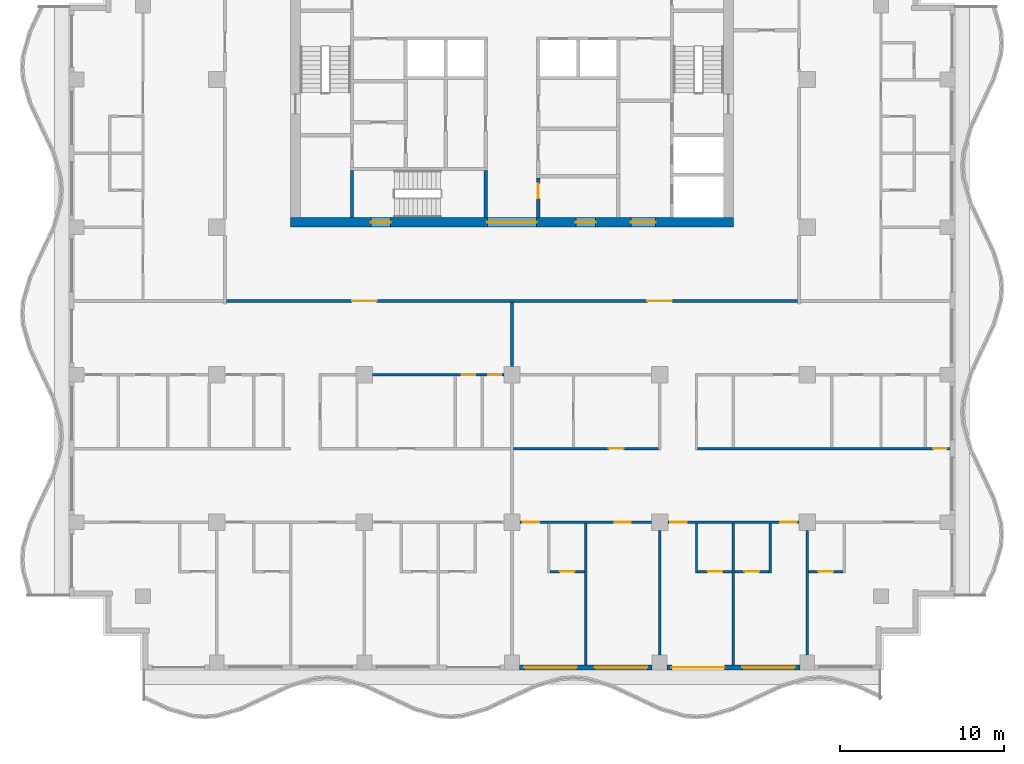
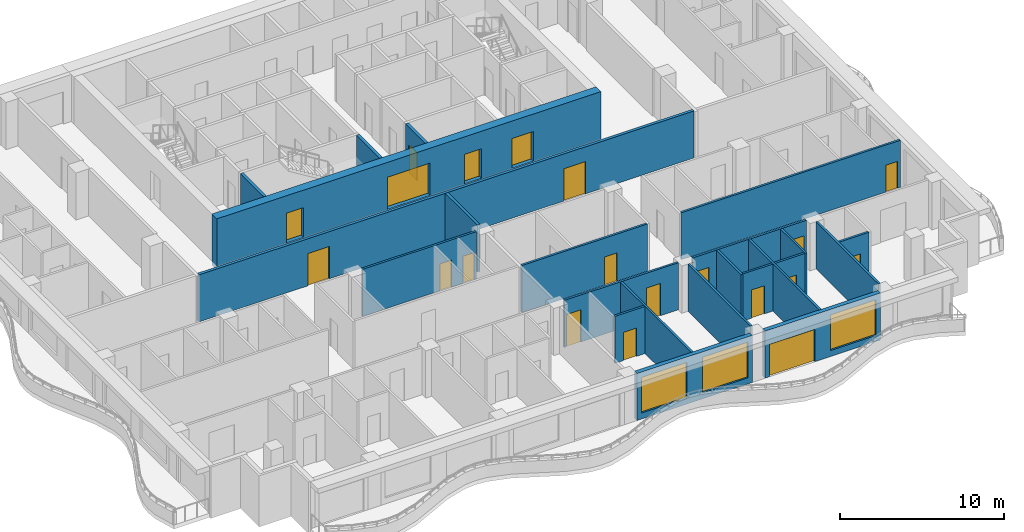
# One storey, part 3 of 11: 23 walls, 20 doors, 3 windows, 23 openings.
"""IFC4 building model written with IfcOpenShell, lengths in metres."""

from ifc_helpers import new_model, si_unit, direction, frame, frame_2d, origin, place, context, subcontext, project, spatial, rectangle, extrude, material, layer, layer_set, type_object, element, fill, save


model = new_model("IFC4")

# Units and contexts
model_context = context("Model", 3, precision=1e-05, world=origin(), true_north=direction((0.0, 1.0)))
body_context = subcontext(model_context, "Body", "Model", "MODEL_VIEW")
ifc_project = project(units=[si_unit("LENGTHUNIT", "METRE"), si_unit("AREAUNIT", "SQUARE_METRE"), si_unit("VOLUMEUNIT", "CUBIC_METRE"), si_unit("PLANEANGLEUNIT", "RADIAN"), si_unit("MASSUNIT", "GRAM", prefix="KILO")], contexts=[model_context])

# Site, building, storey
site_placement = place(None, origin())
site = spatial("IfcSite", under=ifc_project, at=site_placement, CompositionType="ELEMENT")
building_placement = place(site_placement, origin())
building = spatial("IfcBuilding", under=site, at=building_placement, Name="Orbiselva Terraces", CompositionType="ELEMENT")
storey_placement = place(building_placement, frame((0.0, 0.0, 242.6)))
storey = spatial("IfcBuildingStorey", under=building, at=storey_placement, Name="L61", CompositionType="ELEMENT", Elevation=242.6)

# Wall, openings, doors
ifc_material_1 = material(Name="Concrete C80/95", Category="concrete")
ifc_layer_1 = layer(ifc_material_1, 0.6)
ifc_layer_set_1 = layer_set([ifc_layer_1], Name="Concrete C80/95")
wall_type_1 = type_object("IfcWallType", Name="CORE WALL 600", PredefinedType="SHEAR", material=ifc_layer_set_1)
wall_1_placement = place(storey_placement, frame((-13.5, 4.8, -0.3), z_axis=(0.0, 0.0, 1.0), x_axis=(1.0, 0.0, 0.0)))
wall_1 = element("IfcWall", 1, at=wall_1_placement, inside=storey, type_object=wall_type_1, Name="Core wall L61 south", PredefinedType="SHEAR", context=body_context, shape_type="SweptSolid", body=[
    extrude(rectangle(XDim=27.0, YDim=0.6, at=frame_2d((13.5, 0.0))), origin(), (0.0, 0.0, 1.0), 3.8),
])
opening_1_placement = place(wall_1_placement, frame((12.0, 0.0, 0.3)))
opening_1 = element("IfcOpeningElement", 2, at=opening_1_placement, cuts=wall_1, Name="Opening DL3000", PredefinedType="OPENING", context=body_context, shape_type="SweptSolid", body=[
    extrude(rectangle(XDim=3.0, YDim=2.4, at=frame_2d((1.5, 1.2))), frame((0.0, 0.31, 0.0), z_axis=(0.0, -1.0, 0.0), x_axis=(1.0, 0.0, 0.0)), (0.0, 0.0, 1.0), 0.62),
])
opening_2_placement = place(wall_1_placement, frame((4.9, 0.0, 0.3)))
opening_2 = element("IfcOpeningElement", 3, at=opening_2_placement, cuts=wall_1, Name="Opening DS1200", PredefinedType="OPENING", context=body_context, shape_type="SweptSolid", body=[
    extrude(rectangle(XDim=1.2, YDim=2.2, at=frame_2d((0.6, 1.1))), frame((0.0, 0.31, 0.0), z_axis=(0.0, -1.0, 0.0), x_axis=(1.0, 0.0, 0.0)), (0.0, 0.0, 1.0), 0.62),
])
opening_3_placement = place(wall_1_placement, frame((20.75, 0.0, 0.3)))
opening_3 = element("IfcOpeningElement", 4, at=opening_3_placement, cuts=wall_1, Name="Opening DF1500", PredefinedType="OPENING", context=body_context, shape_type="SweptSolid", body=[
    extrude(rectangle(XDim=1.5, YDim=2.2, at=frame_2d((0.75, 1.1))), frame((0.0, 0.31, 0.0), z_axis=(0.0, -1.0, 0.0), x_axis=(1.0, 0.0, 0.0)), (0.0, 0.0, 1.0), 0.62),
])
opening_4_placement = place(wall_1_placement, frame((17.4, 0.0, 0.3)))
opening_4 = element("IfcOpeningElement", 5, at=opening_4_placement, cuts=wall_1, Name="Opening DV1200", PredefinedType="OPENING", context=body_context, shape_type="SweptSolid", body=[
    extrude(rectangle(XDim=1.2, YDim=2.2, at=frame_2d((0.6, 1.1))), frame((0.0, 0.31, 0.0), z_axis=(0.0, -1.0, 0.0), x_axis=(1.0, 0.0, 0.0)), (0.0, 0.0, 1.0), 0.62),
])
ifc_material_2 = material(Name="Steel fire door", Category="steel")
door_type_1 = type_object("IfcDoorType", Name="FFL DOOR 1500", OperationType="DOUBLE_DOOR_SINGLE_SWING", PredefinedType="DOOR", material=ifc_material_2)
door_1_placement = place(opening_3_placement, frame((1.5, 0.0, 0.0), z_axis=(0.0, 0.0, 1.0), x_axis=(-1.0, 0.0, 0.0)))
door_1 = element("IfcDoor", 6, at=door_1_placement, inside=storey, type_object=door_type_1, Name="L61 FIRE-FIGHTING LOBBY door", OperationType="DOUBLE_DOOR_SINGLE_SWING", OverallHeight=2.2, OverallWidth=1.5, PredefinedType="DOOR", context=body_context, shape_type="SweptSolid", body=[
    extrude(rectangle(XDim=1.5, YDim=2.2, at=frame_2d((0.75, 1.1))), frame((0.0, 0.025, 0.0), z_axis=(0.0, -1.0, 0.0), x_axis=(1.0, 0.0, 0.0)), (0.0, 0.0, 1.0), 0.05),
])
fill(opening_3, door_1)
door_type_2 = type_object("IfcDoorType", Name="LOBBY DOOR 3000", OperationType="DOUBLE_DOOR_SINGLE_SWING", PredefinedType="DOOR", material=ifc_material_2)
door_2_placement = place(opening_1_placement, frame((3.0, 0.0, 0.0), z_axis=(0.0, 0.0, 1.0), x_axis=(-1.0, 0.0, 0.0)))
door_2 = element("IfcDoor", 7, at=door_2_placement, inside=storey, type_object=door_type_2, Name="L61 LIFT LOBBY door", OperationType="DOUBLE_DOOR_SINGLE_SWING", OverallHeight=2.4, OverallWidth=3.0, PredefinedType="DOOR", context=body_context, shape_type="SweptSolid", body=[
    extrude(rectangle(XDim=3.0, YDim=2.4, at=frame_2d((1.5, 1.2))), frame((0.0, 0.025, 0.0), z_axis=(0.0, -1.0, 0.0), x_axis=(1.0, 0.0, 0.0)), (0.0, 0.0, 1.0), 0.05),
])
fill(opening_1, door_2)
door_type_3 = type_object("IfcDoorType", Name="SERVICE DOOR 1200", OperationType="NOTDEFINED", PredefinedType="DOOR", material=ifc_material_2)
door_3_placement = place(opening_4_placement, frame((1.2, 0.0, 0.0), z_axis=(0.0, 0.0, 1.0), x_axis=(-1.0, 0.0, 0.0)))
door_3 = element("IfcDoor", 8, at=door_3_placement, inside=storey, type_object=door_type_3, Name="L61 ELECTRICAL RISER ROOM door", OperationType="SINGLE_SWING_RIGHT", OverallHeight=2.2, OverallWidth=1.2, PredefinedType="DOOR", context=body_context, shape_type="SweptSolid", body=[
    extrude(rectangle(XDim=1.2, YDim=2.2, at=frame_2d((0.6, 1.1))), frame((0.0, 0.025, 0.0), z_axis=(0.0, -1.0, 0.0), x_axis=(1.0, 0.0, 0.0)), (0.0, 0.0, 1.0), 0.05),
])
fill(opening_4, door_3)
door_type_4 = type_object("IfcDoorType", Name="STAIR DOOR 1200", OperationType="NOTDEFINED", PredefinedType="DOOR", material=ifc_material_2)
door_4_placement = place(opening_2_placement, frame((1.2, 0.0, 0.0), z_axis=(0.0, 0.0, 1.0), x_axis=(-1.0, 0.0, 0.0)))
door_4 = element("IfcDoor", 9, at=door_4_placement, inside=storey, type_object=door_type_4, Name="L61 EXIT STAIR S3 door", OperationType="SINGLE_SWING_LEFT", OverallHeight=2.2, OverallWidth=1.2, PredefinedType="DOOR", context=body_context, shape_type="SweptSolid", body=[
    extrude(rectangle(XDim=1.2, YDim=2.2, at=frame_2d((0.6, 1.1))), frame((0.0, 0.025, 0.0), z_axis=(0.0, -1.0, 0.0), x_axis=(1.0, 0.0, 0.0)), (0.0, 0.0, 1.0), 0.05),
])
fill(opening_2, door_4)

# Wall, opening, door
ifc_material_3 = material(Name="Masonry blockwork", Category="masonry")
ifc_layer_2 = layer(ifc_material_3, 0.2)
ifc_layer_set_2 = layer_set([ifc_layer_2], Name="Masonry blockwork")
wall_type_2 = type_object("IfcWallType", Name="CORE-WALL-PARTITION-200", PredefinedType="PARTITIONING", material=ifc_layer_set_2)
wall_2_placement = place(storey_placement, frame((1.6, 7.5, 0.0), z_axis=(0.0, 0.0, 1.0), x_axis=(0.0, -1.0, 0.0)))
wall_2 = element("IfcWall", 10, at=wall_2_placement, inside=storey, type_object=wall_type_2, Name="L61 core wall 27", PredefinedType="PARTITIONING", context=body_context, shape_type="SweptSolid", body=[
    extrude(rectangle(XDim=2.4, YDim=0.2, at=frame_2d((1.2, 0.0))), origin(), (0.0, 0.0, 1.0), 3.5),
])
opening_5_placement = place(wall_2_placement, frame((0.35, 0.0, 0.0)))
opening_5 = element("IfcOpeningElement", 11, at=opening_5_placement, cuts=wall_2, Name="Opening DR900", PredefinedType="OPENING", context=body_context, shape_type="SweptSolid", body=[
    extrude(rectangle(XDim=0.9, YDim=2.1, at=frame_2d((0.45, 1.05))), frame((0.0, 0.11, 0.0), z_axis=(0.0, -1.0, 0.0), x_axis=(1.0, 0.0, 0.0)), (0.0, 0.0, 1.0), 0.22),
])
door_type_5 = type_object("IfcDoorType", Name="ROOM DOOR 900", OperationType="NOTDEFINED", PredefinedType="DOOR", material=ifc_material_2)
door_5_placement = place(opening_5_placement, origin())
door_5 = element("IfcDoor", 12, at=door_5_placement, inside=storey, type_object=door_type_5, Name="L61 ELECTRICAL RISER ROOM door", OperationType="SINGLE_SWING_LEFT", OverallHeight=2.1, OverallWidth=0.9, PredefinedType="DOOR", context=body_context, shape_type="SweptSolid", body=[
    extrude(rectangle(XDim=0.9, YDim=2.1, at=frame_2d((0.45, 1.05))), frame((0.0, 0.025, 0.0), z_axis=(0.0, -1.0, 0.0), x_axis=(1.0, 0.0, 0.0)), (0.0, 0.0, 1.0), 0.05),
])
fill(opening_5, door_5)

# Walls
ifc_material_4 = material(Name="Concrete C60/75", Category="concrete")
ifc_layer_3 = layer(ifc_material_4, 0.2)
ifc_layer_set_3 = layer_set([ifc_layer_3], Name="Concrete C60/75")
wall_type_3 = type_object("IfcWallType", Name="CORE-WALL-SHEAR-200", PredefinedType="SHEAR", material=ifc_layer_set_3)
for number, where, z_axis, x_axis, name in (
    (13, (-9.75, 5.1, 0.0), (0.0, 0.0, 1.0), (0.0, 1.0, 0.0), "L61 core wall 03"),
    (14, (-1.6, 5.1, 0.0), (0.0, 0.0, 1.0), (0.0, 1.0, 0.0), "L61 core wall 23"),
):
    element("IfcWall", number, at=place(storey_placement, frame(where, z_axis=z_axis, x_axis=x_axis)), inside=storey, type_object=wall_type_3, Name=name, PredefinedType="SHEAR", context=body_context, shape_type="SweptSolid", body=[
        extrude(rectangle(XDim=2.85, YDim=0.2, at=frame_2d((1.425, 0.0))), origin(), (0.0, 0.0, 1.0), 3.5),
    ])

# Wall, openings, windows
ifc_material_5 = material(Name="Terracotta cladding on masonry backing", Category="masonry")
ifc_layer_4 = layer(ifc_material_5, 0.3)
ifc_layer_set_4 = layer_set([ifc_layer_4], Name="Terracotta cladding on masonry backing")
wall_type_4 = type_object("IfcWallType", Name="ENV-WALL-TERRACOTTA-300", PredefinedType="SOLIDWALL", material=ifc_layer_set_4)
wall_3_placement = place(storey_placement, frame((8.55, -22.35, 0.0), z_axis=(0.0, 0.0, 1.0), x_axis=(-1.0, 0.0, 0.0)))
wall_3 = element("IfcWall", 15, at=wall_3_placement, inside=storey, type_object=wall_type_4, Name="Facade wall L61 S", PredefinedType="SOLIDWALL", context=body_context, shape_type="SweptSolid", body=[
    extrude(rectangle(XDim=8.1, YDim=0.3, at=frame_2d((4.05, 0.0))), origin(), (0.0, 0.0, 1.0), 3.5),
])
opening_6_placement = place(wall_3_placement, frame((4.6, 0.0, 0.45)))
opening_6 = element("IfcOpeningElement", 16, at=opening_6_placement, cuts=wall_3, Name="Opening WN17", PredefinedType="OPENING", context=body_context, shape_type="SweptSolid", body=[
    extrude(rectangle(XDim=3.2, YDim=2.65, at=frame_2d((1.6, 1.325))), frame((0.0, 0.16, 0.0), z_axis=(0.0, -1.0, 0.0), x_axis=(1.0, 0.0, 0.0)), (0.0, 0.0, 1.0), 0.32),
])
opening_7_placement = place(wall_3_placement, frame((0.3, 0.0, 0.45)))
opening_7 = element("IfcOpeningElement", 17, at=opening_7_placement, cuts=wall_3, Name="Opening WN17", PredefinedType="OPENING", context=body_context, shape_type="SweptSolid", body=[
    extrude(rectangle(XDim=3.2, YDim=2.65, at=frame_2d((1.6, 1.325))), frame((0.0, 0.16, 0.0), z_axis=(0.0, -1.0, 0.0), x_axis=(1.0, 0.0, 0.0)), (0.0, 0.0, 1.0), 0.32),
])
ifc_material_6 = material(Name="Clear low-e glazing in aluminium frame", Category="aluminium")
window_type = type_object("IfcWindowType", Name="WINDOW 3200 X 2650 S450", PartitioningType="TRIPLE_PANEL_VERTICAL", PredefinedType="WINDOW", material=ifc_material_6)
window_1_placement = place(opening_6_placement, origin())
window_1 = element("IfcWindow", 18, at=window_1_placement, inside=storey, type_object=window_type, Name="Window L61 S", OverallHeight=2.65, OverallWidth=3.2, PartitioningType="SINGLE_PANEL", PredefinedType="WINDOW", context=body_context, shape_type="SweptSolid", body=[
    extrude(rectangle(XDim=3.2, YDim=2.65, at=frame_2d((1.6, 1.325))), frame((0.0, 0.03, 0.0), z_axis=(0.0, -1.0, 0.0), x_axis=(1.0, 0.0, 0.0)), (0.0, 0.0, 1.0), 0.06),
])
fill(opening_6, window_1)
window_2_placement = place(opening_7_placement, origin())
window_2 = element("IfcWindow", 19, at=window_2_placement, inside=storey, type_object=window_type, Name="Window L61 S", OverallHeight=2.65, OverallWidth=3.2, PartitioningType="SINGLE_PANEL", PredefinedType="WINDOW", context=body_context, shape_type="SweptSolid", body=[
    extrude(rectangle(XDim=3.2, YDim=2.65, at=frame_2d((1.6, 1.325))), frame((0.0, 0.03, 0.0), z_axis=(0.0, -1.0, 0.0), x_axis=(1.0, 0.0, 0.0)), (0.0, 0.0, 1.0), 0.06),
])
fill(opening_7, window_2)

# Wall, openings, door, window
wall_4_placement = place(storey_placement, frame((17.55, -22.35, 0.0), z_axis=(0.0, 0.0, 1.0), x_axis=(-1.0, 0.0, 0.0)))
wall_4 = element("IfcWall", 20, at=wall_4_placement, inside=storey, type_object=wall_type_4, Name="Facade wall L61 S", PredefinedType="SOLIDWALL", context=body_context, shape_type="SweptSolid", body=[
    extrude(rectangle(XDim=8.1, YDim=0.3, at=frame_2d((4.05, 0.0))), origin(), (0.0, 0.0, 1.0), 3.5),
])
opening_8_placement = place(wall_4_placement, frame((4.6, 0.0, 0.0)))
opening_8 = element("IfcOpeningElement", 21, at=opening_8_placement, cuts=wall_4, Name="Opening Z5-A-E03", PredefinedType="OPENING", context=body_context, shape_type="SweptSolid", body=[
    extrude(rectangle(XDim=3.2, YDim=2.4, at=frame_2d((1.6, 1.2))), frame((0.0, 0.16, 0.0), z_axis=(0.0, -1.0, 0.0), x_axis=(1.0, 0.0, 0.0)), (0.0, 0.0, 1.0), 0.32),
])
opening_9_placement = place(wall_4_placement, frame((0.3, 0.0, 0.45)))
opening_9 = element("IfcOpeningElement", 22, at=opening_9_placement, cuts=wall_4, Name="Opening WN17", PredefinedType="OPENING", context=body_context, shape_type="SweptSolid", body=[
    extrude(rectangle(XDim=3.2, YDim=2.65, at=frame_2d((1.6, 1.325))), frame((0.0, 0.16, 0.0), z_axis=(0.0, -1.0, 0.0), x_axis=(1.0, 0.0, 0.0)), (0.0, 0.0, 1.0), 0.32),
])
door_type_6 = type_object("IfcDoorType", Name="BALCONY DOOR 3200 X 2400", OperationType="DOUBLE_DOOR_SLIDING", PredefinedType="DOOR", material=ifc_material_6)
door_6_placement = place(opening_8_placement, origin())
door_6 = element("IfcDoor", 23, at=door_6_placement, inside=storey, type_object=door_type_6, Name="Z5-A-E03", OperationType="SINGLE_SWING_LEFT", OverallHeight=2.4, OverallWidth=3.2, PredefinedType="DOOR", context=body_context, shape_type="SweptSolid", body=[
    extrude(rectangle(XDim=3.2, YDim=2.4, at=frame_2d((1.6, 1.2))), frame((0.0, 0.025, 0.0), z_axis=(0.0, -1.0, 0.0), x_axis=(1.0, 0.0, 0.0)), (0.0, 0.0, 1.0), 0.05),
])
fill(opening_8, door_6)
window_3_placement = place(opening_9_placement, origin())
window_3 = element("IfcWindow", 24, at=window_3_placement, inside=storey, type_object=window_type, Name="Window L61 S", OverallHeight=2.65, OverallWidth=3.2, PartitioningType="SINGLE_PANEL", PredefinedType="WINDOW", context=body_context, shape_type="SweptSolid", body=[
    extrude(rectangle(XDim=3.2, YDim=2.65, at=frame_2d((1.6, 1.325))), frame((0.0, 0.03, 0.0), z_axis=(0.0, -1.0, 0.0), x_axis=(1.0, 0.0, 0.0)), (0.0, 0.0, 1.0), 0.06),
])
fill(opening_9, window_3)

# Wall, openings, doors
ifc_material_7 = material(Name="Plasterboard on steel stud partition", Category="steel")
ifc_layer_5 = layer(ifc_material_7, 0.2)
ifc_layer_set_5 = layer_set([ifc_layer_5], Name="Plasterboard on steel stud partition")
wall_type_5 = type_object("IfcWallType", Name="UNIT-ENTRANCE-WALL-200", PredefinedType="PARTITIONING", material=ifc_layer_set_5)
wall_5_placement = place(storey_placement, frame((17.4, 0.0, 0.0), z_axis=(0.0, 0.0, 1.0), x_axis=(-1.0, 0.0, 0.0)))
wall_5 = element("IfcWall", 25, at=wall_5_placement, inside=storey, type_object=wall_type_5, Name="PARTITION L61-026", PredefinedType="PARTITIONING", context=body_context, shape_type="SweptSolid", body=[
    extrude(rectangle(XDim=34.8, YDim=0.2, at=frame_2d((17.4, 0.0))), origin(), (0.0, 0.0, 1.0), 3.5),
])
opening_10_placement = place(wall_5_placement, frame((25.65, 0.0, 0.0)))
opening_10 = element("IfcOpeningElement", 26, at=opening_10_placement, cuts=wall_5, Name="Opening Z5-A-16", PredefinedType="OPENING", context=body_context, shape_type="SweptSolid", body=[
    extrude(rectangle(XDim=1.5, YDim=2.4, at=frame_2d((0.75, 1.2))), frame((0.0, 0.11, 0.0), z_axis=(0.0, -1.0, 0.0), x_axis=(1.0, 0.0, 0.0)), (0.0, 0.0, 1.0), 0.22),
])
opening_11_placement = place(wall_5_placement, frame((7.65, 0.0, 0.0)))
opening_11 = element("IfcOpeningElement", 27, at=opening_11_placement, cuts=wall_5, Name="Opening Z5-A-35", PredefinedType="OPENING", context=body_context, shape_type="SweptSolid", body=[
    extrude(rectangle(XDim=1.5, YDim=2.4, at=frame_2d((0.75, 1.2))), frame((0.0, 0.11, 0.0), z_axis=(0.0, -1.0, 0.0), x_axis=(1.0, 0.0, 0.0)), (0.0, 0.0, 1.0), 0.22),
])
ifc_material_8 = material(Name="Painted timber door leaf", Category="wood")
door_type_7 = type_object("IfcDoorType", Name="ENTRANCE DOUBLE DOOR 1500", OperationType="NOTDEFINED", PredefinedType="DOOR", material=ifc_material_8)
door_7_placement = place(opening_10_placement, origin())
door_7 = element("IfcDoor", 28, at=door_7_placement, inside=storey, type_object=door_type_7, Name="Z5-A-16", OperationType="DOUBLE_DOOR_SINGLE_SWING", OverallHeight=2.4, OverallWidth=1.5, PredefinedType="DOOR", context=body_context, shape_type="SweptSolid", body=[
    extrude(rectangle(XDim=1.5, YDim=2.4, at=frame_2d((0.75, 1.2))), frame((0.0, 0.025, 0.0), z_axis=(0.0, -1.0, 0.0), x_axis=(1.0, 0.0, 0.0)), (0.0, 0.0, 1.0), 0.05),
])
fill(opening_10, door_7)
door_8_placement = place(opening_11_placement, origin())
door_8 = element("IfcDoor", 29, at=door_8_placement, inside=storey, type_object=door_type_7, Name="Z5-A-35", OperationType="DOUBLE_DOOR_SINGLE_SWING", OverallHeight=2.4, OverallWidth=1.5, PredefinedType="DOOR", context=body_context, shape_type="SweptSolid", body=[
    extrude(rectangle(XDim=1.5, YDim=2.4, at=frame_2d((0.75, 1.2))), frame((0.0, 0.025, 0.0), z_axis=(0.0, -1.0, 0.0), x_axis=(1.0, 0.0, 0.0)), (0.0, 0.0, 1.0), 0.05),
])
fill(opening_11, door_8)

# Wall, opening, door
ifc_layer_6 = layer(ifc_material_7, 0.15)
ifc_layer_set_6 = layer_set([ifc_layer_6], Name="Plasterboard on steel stud partition")
wall_type_6 = type_object("IfcWallType", Name="UNIT-PARTITION-150", PredefinedType="PARTITIONING", material=ifc_layer_set_6)
wall_6_placement = place(storey_placement, frame((2.325, -16.5, 0.0), z_axis=(0.0, 0.0, 1.0), x_axis=(1.0, 0.0, 0.0)))
wall_6 = element("IfcWall", 30, at=wall_6_placement, inside=storey, type_object=wall_type_6, Name="PARTITION L61-005", PredefinedType="PARTITIONING", context=body_context, shape_type="SweptSolid", body=[
    extrude(rectangle(XDim=2.1, YDim=0.15, at=frame_2d((1.05, 0.0))), origin(), (0.0, 0.0, 1.0), 3.5),
])
opening_12_placement = place(wall_6_placement, frame((0.6, 0.0, 0.0)))
opening_12 = element("IfcOpeningElement", 31, at=opening_12_placement, cuts=wall_6, Name="Opening Z5-A-51", PredefinedType="OPENING", context=body_context, shape_type="SweptSolid", body=[
    extrude(rectangle(XDim=0.9, YDim=2.1, at=frame_2d((0.45, 1.05))), frame((0.0, 0.085, 0.0), z_axis=(0.0, -1.0, 0.0), x_axis=(1.0, 0.0, 0.0)), (0.0, 0.0, 1.0), 0.17),
])
door_type_8 = type_object("IfcDoorType", Name="BATH DOOR 900", OperationType="NOTDEFINED", PredefinedType="DOOR", material=ifc_material_8)
door_9_placement = place(opening_12_placement, origin())
door_9 = element("IfcDoor", 32, at=door_9_placement, inside=storey, type_object=door_type_8, Name="Z5-A-51", OperationType="SINGLE_SWING_RIGHT", OverallHeight=2.1, OverallWidth=0.9, PredefinedType="DOOR", context=body_context, shape_type="SweptSolid", body=[
    extrude(rectangle(XDim=0.9, YDim=2.1, at=frame_2d((0.45, 1.05))), frame((0.0, 0.025, 0.0), z_axis=(0.0, -1.0, 0.0), x_axis=(1.0, 0.0, 0.0)), (0.0, 0.0, 1.0), 0.05),
])
fill(opening_12, door_9)

wall_7_placement = place(storey_placement, frame((11.325, -16.5, 0.0), z_axis=(0.0, 0.0, 1.0), x_axis=(1.0, 0.0, 0.0)))
wall_7 = element("IfcWall", 33, at=wall_7_placement, inside=storey, type_object=wall_type_6, Name="PARTITION L61-006", PredefinedType="PARTITIONING", context=body_context, shape_type="SweptSolid", body=[
    extrude(rectangle(XDim=2.1, YDim=0.15, at=frame_2d((1.05, 0.0))), origin(), (0.0, 0.0, 1.0), 3.5),
])
opening_13_placement = place(wall_7_placement, frame((0.6, 0.0, 0.0)))
opening_13 = element("IfcOpeningElement", 34, at=opening_13_placement, cuts=wall_7, Name="Opening Z5-A-48", PredefinedType="OPENING", context=body_context, shape_type="SweptSolid", body=[
    extrude(rectangle(XDim=0.9, YDim=2.1, at=frame_2d((0.45, 1.05))), frame((0.0, 0.085, 0.0), z_axis=(0.0, -1.0, 0.0), x_axis=(1.0, 0.0, 0.0)), (0.0, 0.0, 1.0), 0.17),
])
door_10_placement = place(opening_13_placement, origin())
door_10 = element("IfcDoor", 35, at=door_10_placement, inside=storey, type_object=door_type_8, Name="Z5-A-48", OperationType="SINGLE_SWING_LEFT", OverallHeight=2.1, OverallWidth=0.9, PredefinedType="DOOR", context=body_context, shape_type="SweptSolid", body=[
    extrude(rectangle(XDim=0.9, YDim=2.1, at=frame_2d((0.45, 1.05))), frame((0.0, 0.025, 0.0), z_axis=(0.0, -1.0, 0.0), x_axis=(1.0, 0.0, 0.0)), (0.0, 0.0, 1.0), 0.05),
])
fill(opening_13, door_10)

wall_8_placement = place(storey_placement, frame((13.575, -16.5, 0.0), z_axis=(0.0, 0.0, 1.0), x_axis=(1.0, 0.0, 0.0)))
wall_8 = element("IfcWall", 36, at=wall_8_placement, inside=storey, type_object=wall_type_6, Name="PARTITION L61-007", PredefinedType="PARTITIONING", context=body_context, shape_type="SweptSolid", body=[
    extrude(rectangle(XDim=2.1, YDim=0.15, at=frame_2d((1.05, 0.0))), origin(), (0.0, 0.0, 1.0), 3.5),
])
opening_14_placement = place(wall_8_placement, frame((0.6, 0.0, 0.0)))
opening_14 = element("IfcOpeningElement", 37, at=opening_14_placement, cuts=wall_8, Name="Opening Z5-A-46", PredefinedType="OPENING", context=body_context, shape_type="SweptSolid", body=[
    extrude(rectangle(XDim=0.9, YDim=2.1, at=frame_2d((0.45, 1.05))), frame((0.0, 0.085, 0.0), z_axis=(0.0, -1.0, 0.0), x_axis=(1.0, 0.0, 0.0)), (0.0, 0.0, 1.0), 0.17),
])
door_11_placement = place(opening_14_placement, origin())
door_11 = element("IfcDoor", 38, at=door_11_placement, inside=storey, type_object=door_type_8, Name="Z5-A-46", OperationType="SINGLE_SWING_LEFT", OverallHeight=2.1, OverallWidth=0.9, PredefinedType="DOOR", context=body_context, shape_type="SweptSolid", body=[
    extrude(rectangle(XDim=0.9, YDim=2.1, at=frame_2d((0.45, 1.05))), frame((0.0, 0.025, 0.0), z_axis=(0.0, -1.0, 0.0), x_axis=(1.0, 0.0, 0.0)), (0.0, 0.0, 1.0), 0.05),
])
fill(opening_14, door_11)

wall_9_placement = place(storey_placement, frame((18.075, -16.5, 0.0), z_axis=(0.0, 0.0, 1.0), x_axis=(1.0, 0.0, 0.0)))
wall_9 = element("IfcWall", 39, at=wall_9_placement, inside=storey, type_object=wall_type_6, Name="PARTITION L61-008", PredefinedType="PARTITIONING", context=body_context, shape_type="SweptSolid", body=[
    extrude(rectangle(XDim=2.1, YDim=0.15, at=frame_2d((1.05, 0.0))), origin(), (0.0, 0.0, 1.0), 3.5),
])
opening_15_placement = place(wall_9_placement, frame((0.6, 0.0, 0.0)))
opening_15 = element("IfcOpeningElement", 40, at=opening_15_placement, cuts=wall_9, Name="Opening Z5-A-44", PredefinedType="OPENING", context=body_context, shape_type="SweptSolid", body=[
    extrude(rectangle(XDim=0.9, YDim=2.1, at=frame_2d((0.45, 1.05))), frame((0.0, 0.085, 0.0), z_axis=(0.0, -1.0, 0.0), x_axis=(1.0, 0.0, 0.0)), (0.0, 0.0, 1.0), 0.17),
])
door_12_placement = place(opening_15_placement, origin())
door_12 = element("IfcDoor", 41, at=door_12_placement, inside=storey, type_object=door_type_8, Name="Z5-A-44", OperationType="SINGLE_SWING_LEFT", OverallHeight=2.1, OverallWidth=0.9, PredefinedType="DOOR", context=body_context, shape_type="SweptSolid", body=[
    extrude(rectangle(XDim=0.9, YDim=2.1, at=frame_2d((0.45, 1.05))), frame((0.0, 0.025, 0.0), z_axis=(0.0, -1.0, 0.0), x_axis=(1.0, 0.0, 0.0)), (0.0, 0.0, 1.0), 0.05),
])
fill(opening_15, door_12)

# Wall, openings, doors
wall_10_placement = place(storey_placement, frame((8.5, -13.5, 0.0), z_axis=(0.0, 0.0, 1.0), x_axis=(-1.0, 0.0, 0.0)))
wall_10 = element("IfcWall", 42, at=wall_10_placement, inside=storey, type_object=wall_type_6, Name="PARTITION L61-012", PredefinedType="PARTITIONING", context=body_context, shape_type="SweptSolid", body=[
    extrude(rectangle(XDim=8.0, YDim=0.15, at=frame_2d((4.0, 0.0))), origin(), (0.0, 0.0, 1.0), 3.5),
])
opening_16_placement = place(wall_10_placement, frame((1.25, 0.0, 0.0)))
opening_16 = element("IfcOpeningElement", 43, at=opening_16_placement, cuts=wall_10, Name="Opening Z5-A-49", PredefinedType="OPENING", context=body_context, shape_type="SweptSolid", body=[
    extrude(rectangle(XDim=1.0, YDim=2.4, at=frame_2d((0.5, 1.2))), frame((0.0, 0.085, 0.0), z_axis=(0.0, -1.0, 0.0), x_axis=(1.0, 0.0, 0.0)), (0.0, 0.0, 1.0), 0.17),
])
opening_17_placement = place(wall_10_placement, frame((6.85, 0.0, 0.0)))
opening_17 = element("IfcOpeningElement", 44, at=opening_17_placement, cuts=wall_10, Name="Opening Z5-A-50", PredefinedType="OPENING", context=body_context, shape_type="SweptSolid", body=[
    extrude(rectangle(XDim=1.0, YDim=2.4, at=frame_2d((0.5, 1.2))), frame((0.0, 0.085, 0.0), z_axis=(0.0, -1.0, 0.0), x_axis=(1.0, 0.0, 0.0)), (0.0, 0.0, 1.0), 0.17),
])
door_type_9 = type_object("IfcDoorType", Name="ROOM DOOR 1000", OperationType="NOTDEFINED", PredefinedType="DOOR", material=ifc_material_8)
door_13_placement = place(opening_16_placement, origin())
door_13 = element("IfcDoor", 45, at=door_13_placement, inside=storey, type_object=door_type_9, Name="Z5-A-49", OperationType="SINGLE_SWING_LEFT", OverallHeight=2.4, OverallWidth=1.0, PredefinedType="DOOR", context=body_context, shape_type="SweptSolid", body=[
    extrude(rectangle(XDim=1.0, YDim=2.4, at=frame_2d((0.5, 1.2))), frame((0.0, 0.025, 0.0), z_axis=(0.0, -1.0, 0.0), x_axis=(1.0, 0.0, 0.0)), (0.0, 0.0, 1.0), 0.05),
])
fill(opening_16, door_13)
door_14_placement = place(opening_17_placement, origin())
door_14 = element("IfcDoor", 46, at=door_14_placement, inside=storey, type_object=door_type_9, Name="Z5-A-50", OperationType="SINGLE_SWING_RIGHT", OverallHeight=2.4, OverallWidth=1.0, PredefinedType="DOOR", context=body_context, shape_type="SweptSolid", body=[
    extrude(rectangle(XDim=1.0, YDim=2.4, at=frame_2d((0.5, 1.2))), frame((0.0, 0.025, 0.0), z_axis=(0.0, -1.0, 0.0), x_axis=(1.0, 0.0, 0.0)), (0.0, 0.0, 1.0), 0.05),
])
fill(opening_17, door_14)

wall_11_placement = place(storey_placement, frame((17.5, -13.5, 0.0), z_axis=(0.0, 0.0, 1.0), x_axis=(-1.0, 0.0, 0.0)))
wall_11 = element("IfcWall", 47, at=wall_11_placement, inside=storey, type_object=wall_type_6, Name="PARTITION L61-013", PredefinedType="PARTITIONING", context=body_context, shape_type="SweptSolid", body=[
    extrude(rectangle(XDim=8.0, YDim=0.15, at=frame_2d((4.0, 0.0))), origin(), (0.0, 0.0, 1.0), 3.5),
])
opening_18_placement = place(wall_11_placement, frame((0.15, 0.0, 0.0)))
opening_18 = element("IfcOpeningElement", 48, at=opening_18_placement, cuts=wall_11, Name="Opening Z5-A-45", PredefinedType="OPENING", context=body_context, shape_type="SweptSolid", body=[
    extrude(rectangle(XDim=1.0, YDim=2.4, at=frame_2d((0.5, 1.2))), frame((0.0, 0.085, 0.0), z_axis=(0.0, -1.0, 0.0), x_axis=(1.0, 0.0, 0.0)), (0.0, 0.0, 1.0), 0.17),
])
opening_19_placement = place(wall_11_placement, frame((6.85, 0.0, 0.0)))
opening_19 = element("IfcOpeningElement", 49, at=opening_19_placement, cuts=wall_11, Name="Opening Z5-A-47", PredefinedType="OPENING", context=body_context, shape_type="SweptSolid", body=[
    extrude(rectangle(XDim=1.0, YDim=2.4, at=frame_2d((0.5, 1.2))), frame((0.0, 0.085, 0.0), z_axis=(0.0, -1.0, 0.0), x_axis=(1.0, 0.0, 0.0)), (0.0, 0.0, 1.0), 0.17),
])
door_15_placement = place(opening_18_placement, origin())
door_15 = element("IfcDoor", 50, at=door_15_placement, inside=storey, type_object=door_type_9, Name="Z5-A-45", OperationType="SINGLE_SWING_LEFT", OverallHeight=2.4, OverallWidth=1.0, PredefinedType="DOOR", context=body_context, shape_type="SweptSolid", body=[
    extrude(rectangle(XDim=1.0, YDim=2.4, at=frame_2d((0.5, 1.2))), frame((0.0, 0.025, 0.0), z_axis=(0.0, -1.0, 0.0), x_axis=(1.0, 0.0, 0.0)), (0.0, 0.0, 1.0), 0.05),
])
fill(opening_18, door_15)
door_16_placement = place(opening_19_placement, origin())
door_16 = element("IfcDoor", 51, at=door_16_placement, inside=storey, type_object=door_type_9, Name="Z5-A-47", OperationType="SINGLE_SWING_RIGHT", OverallHeight=2.4, OverallWidth=1.0, PredefinedType="DOOR", context=body_context, shape_type="SweptSolid", body=[
    extrude(rectangle(XDim=1.0, YDim=2.4, at=frame_2d((0.5, 1.2))), frame((0.0, 0.025, 0.0), z_axis=(0.0, -1.0, 0.0), x_axis=(1.0, 0.0, 0.0)), (0.0, 0.0, 1.0), 0.05),
])
fill(opening_19, door_16)

# Wall, opening, door
wall_12_placement = place(storey_placement, frame((0.1, -9.0, 0.0), z_axis=(0.0, 0.0, 1.0), x_axis=(1.0, 0.0, 0.0)))
wall_12 = element("IfcWall", 52, at=wall_12_placement, inside=storey, type_object=wall_type_6, Name="PARTITION L61-017", PredefinedType="PARTITIONING", context=body_context, shape_type="SweptSolid", body=[
    extrude(rectangle(XDim=8.825, YDim=0.15, at=frame_2d((4.4125, 0.0))), origin(), (0.0, 0.0, 1.0), 3.5),
])
opening_20_placement = place(wall_12_placement, frame((5.8, 0.0, 0.0)))
opening_20 = element("IfcOpeningElement", 53, at=opening_20_placement, cuts=wall_12, Name="Opening Z5-A-41", PredefinedType="OPENING", context=body_context, shape_type="SweptSolid", body=[
    extrude(rectangle(XDim=0.9, YDim=2.1, at=frame_2d((0.45, 1.05))), frame((0.0, 0.085, 0.0), z_axis=(0.0, -1.0, 0.0), x_axis=(1.0, 0.0, 0.0)), (0.0, 0.0, 1.0), 0.17),
])
door_type_10 = type_object("IfcDoorType", Name="SERVICE DOOR 900", OperationType="NOTDEFINED", PredefinedType="DOOR", material=ifc_material_8)
door_17_placement = place(opening_20_placement, origin())
door_17 = element("IfcDoor", 54, at=door_17_placement, inside=storey, type_object=door_type_10, Name="Z5-A-41", OperationType="SINGLE_SWING_RIGHT", OverallHeight=2.1, OverallWidth=0.9, PredefinedType="DOOR", context=body_context, shape_type="SweptSolid", body=[
    extrude(rectangle(XDim=0.9, YDim=2.1, at=frame_2d((0.45, 1.05))), frame((0.0, 0.025, 0.0), z_axis=(0.0, -1.0, 0.0), x_axis=(1.0, 0.0, 0.0)), (0.0, 0.0, 1.0), 0.05),
])
fill(opening_20, door_17)

wall_13_placement = place(storey_placement, frame((11.325, -9.0, 0.0), z_axis=(0.0, 0.0, 1.0), x_axis=(1.0, 0.0, 0.0)))
wall_13 = element("IfcWall", 55, at=wall_13_placement, inside=storey, type_object=wall_type_6, Name="PARTITION L61-018", PredefinedType="PARTITIONING", context=body_context, shape_type="SweptSolid", body=[
    extrude(rectangle(XDim=15.375, YDim=0.15, at=frame_2d((7.6875, 0.0))), origin(), (0.0, 0.0, 1.0), 3.5),
])
opening_21_placement = place(wall_13_placement, frame((14.375, 0.0, 0.0)))
opening_21 = element("IfcOpeningElement", 56, at=opening_21_placement, cuts=wall_13, Name="Opening Z5-A-36", PredefinedType="OPENING", context=body_context, shape_type="SweptSolid", body=[
    extrude(rectangle(XDim=0.8, YDim=2.0, at=frame_2d((0.4, 1.0))), frame((0.0, 0.085, 0.0), z_axis=(0.0, -1.0, 0.0), x_axis=(1.0, 0.0, 0.0)), (0.0, 0.0, 1.0), 0.17),
])
door_type_11 = type_object("IfcDoorType", Name="STORE DOOR 800", OperationType="NOTDEFINED", PredefinedType="DOOR", material=ifc_material_8)
door_18_placement = place(opening_21_placement, origin())
door_18 = element("IfcDoor", 57, at=door_18_placement, inside=storey, type_object=door_type_11, Name="Z5-A-36", OperationType="SINGLE_SWING_RIGHT", OverallHeight=2.0, OverallWidth=0.8, PredefinedType="DOOR", context=body_context, shape_type="SweptSolid", body=[
    extrude(rectangle(XDim=0.8, YDim=2.0, at=frame_2d((0.4, 1.0))), frame((0.0, 0.025, 0.0), z_axis=(0.0, -1.0, 0.0), x_axis=(1.0, 0.0, 0.0)), (0.0, 0.0, 1.0), 0.05),
])
fill(opening_21, door_18)

# Wall, openings, doors
wall_14_placement = place(storey_placement, frame((-0.5, -4.5, 0.0), z_axis=(0.0, 0.0, 1.0), x_axis=(-1.0, 0.0, 0.0)))
wall_14 = element("IfcWall", 58, at=wall_14_placement, inside=storey, type_object=wall_type_6, Name="PARTITION L61-022", PredefinedType="PARTITIONING", context=body_context, shape_type="SweptSolid", body=[
    extrude(rectangle(XDim=8.0, YDim=0.15, at=frame_2d((4.0, 0.0))), origin(), (0.0, 0.0, 1.0), 3.5),
])
opening_22_placement = place(wall_14_placement, frame((0.15, 0.0, 0.0)))
opening_22 = element("IfcOpeningElement", 59, at=opening_22_placement, cuts=wall_14, Name="Opening Z5-A-17", PredefinedType="OPENING", context=body_context, shape_type="SweptSolid", body=[
    extrude(rectangle(XDim=0.8, YDim=2.0, at=frame_2d((0.4, 1.0))), frame((0.0, 0.085, 0.0), z_axis=(0.0, -1.0, 0.0), x_axis=(1.0, 0.0, 0.0)), (0.0, 0.0, 1.0), 0.17),
])
opening_23_placement = place(wall_14_placement, frame((1.75, 0.0, 0.0)))
opening_23 = element("IfcOpeningElement", 60, at=opening_23_placement, cuts=wall_14, Name="Opening Z5-A-18", PredefinedType="OPENING", context=body_context, shape_type="SweptSolid", body=[
    extrude(rectangle(XDim=0.8, YDim=2.0, at=frame_2d((0.4, 1.0))), frame((0.0, 0.085, 0.0), z_axis=(0.0, -1.0, 0.0), x_axis=(1.0, 0.0, 0.0)), (0.0, 0.0, 1.0), 0.17),
])
door_19_placement = place(opening_22_placement, origin())
door_19 = element("IfcDoor", 61, at=door_19_placement, inside=storey, type_object=door_type_11, Name="Z5-A-17", OperationType="SINGLE_SWING_LEFT", OverallHeight=2.0, OverallWidth=0.8, PredefinedType="DOOR", context=body_context, shape_type="SweptSolid", body=[
    extrude(rectangle(XDim=0.8, YDim=2.0, at=frame_2d((0.4, 1.0))), frame((0.0, 0.025, 0.0), z_axis=(0.0, -1.0, 0.0), x_axis=(1.0, 0.0, 0.0)), (0.0, 0.0, 1.0), 0.05),
])
fill(opening_22, door_19)
door_20_placement = place(opening_23_placement, origin())
door_20 = element("IfcDoor", 62, at=door_20_placement, inside=storey, type_object=door_type_11, Name="Z5-A-18", OperationType="SINGLE_SWING_LEFT", OverallHeight=2.0, OverallWidth=0.8, PredefinedType="DOOR", context=body_context, shape_type="SweptSolid", body=[
    extrude(rectangle(XDim=0.8, YDim=2.0, at=frame_2d((0.4, 1.0))), frame((0.0, 0.025, 0.0), z_axis=(0.0, -1.0, 0.0), x_axis=(1.0, 0.0, 0.0)), (0.0, 0.0, 1.0), 0.05),
])
fill(opening_23, door_20)

# Walls
wall_15_placement = place(storey_placement, frame((4.5, -22.2, 0.0), z_axis=(0.0, 0.0, 1.0), x_axis=(0.0, 1.0, 0.0)))
element("IfcWall", 63, at=wall_15_placement, inside=storey, type_object=wall_type_6, Name="PARTITION L61-070", PredefinedType="PARTITIONING", context=body_context, shape_type="SweptSolid", body=[
    extrude(rectangle(XDim=8.625, YDim=0.15, at=frame_2d((4.3125, 0.0))), origin(), (0.0, 0.0, 1.0), 3.5),
])
wall_16_placement = place(storey_placement, frame((9.0, -21.6, 0.0), z_axis=(0.0, 0.0, 1.0), x_axis=(0.0, 1.0, 0.0)))
element("IfcWall", 64, at=wall_16_placement, inside=storey, type_object=wall_type_6, Name="PARTITION L61-071", PredefinedType="PARTITIONING", context=body_context, shape_type="SweptSolid", body=[
    extrude(rectangle(XDim=7.6, YDim=0.15, at=frame_2d((3.8, 0.0))), origin(), (0.0, 0.0, 1.0), 3.5),
])
wall_17_placement = place(storey_placement, frame((11.25, -16.575, 0.0), z_axis=(0.0, 0.0, 1.0), x_axis=(0.0, 1.0, 0.0)))
element("IfcWall", 65, at=wall_17_placement, inside=storey, type_object=wall_type_6, Name="PARTITION L61-073", PredefinedType="PARTITIONING", context=body_context, shape_type="SweptSolid", body=[
    extrude(rectangle(XDim=3.0, YDim=0.15, at=frame_2d((1.5, 0.0))), origin(), (0.0, 0.0, 1.0), 3.5),
])
wall_18_placement = place(storey_placement, frame((13.5, -22.2, 0.0), z_axis=(0.0, 0.0, 1.0), x_axis=(0.0, 1.0, 0.0)))
element("IfcWall", 66, at=wall_18_placement, inside=storey, type_object=wall_type_6, Name="PARTITION L61-075", PredefinedType="PARTITIONING", context=body_context, shape_type="SweptSolid", body=[
    extrude(rectangle(XDim=8.625, YDim=0.15, at=frame_2d((4.3125, 0.0))), origin(), (0.0, 0.0, 1.0), 3.5),
])
wall_19_placement = place(storey_placement, frame((15.75, -16.575, 0.0), z_axis=(0.0, 0.0, 1.0), x_axis=(0.0, 1.0, 0.0)))
element("IfcWall", 67, at=wall_19_placement, inside=storey, type_object=wall_type_6, Name="PARTITION L61-077", PredefinedType="PARTITIONING", context=body_context, shape_type="SweptSolid", body=[
    extrude(rectangle(XDim=3.0, YDim=0.15, at=frame_2d((1.5, 0.0))), origin(), (0.0, 0.0, 1.0), 3.5),
])
wall_20_placement = place(storey_placement, frame((18.0, -21.6, 0.0), z_axis=(0.0, 0.0, 1.0), x_axis=(0.0, 1.0, 0.0)))
element("IfcWall", 68, at=wall_20_placement, inside=storey, type_object=wall_type_6, Name="PARTITION L61-082", PredefinedType="PARTITIONING", context=body_context, shape_type="SweptSolid", body=[
    extrude(rectangle(XDim=7.6, YDim=0.15, at=frame_2d((3.8, 0.0))), origin(), (0.0, 0.0, 1.0), 3.5),
])
ifc_layer_7 = layer(ifc_material_7, 0.2)
ifc_layer_set_7 = layer_set([ifc_layer_7], Name="Plasterboard on steel stud partition")
wall_type_7 = type_object("IfcWallType", Name="UNIT-PARTY-WALL-200", PredefinedType="PARTITIONING", material=ifc_layer_set_7)
wall_21_placement = place(storey_placement, frame((0.0, -4.0, 0.0), z_axis=(0.0, 0.0, 1.0), x_axis=(0.0, 1.0, 0.0)))
element("IfcWall", 69, at=wall_21_placement, inside=storey, type_object=wall_type_7, Name="PARTITION L61-067", PredefinedType="PARTITIONING", context=body_context, shape_type="SweptSolid", body=[
    extrude(rectangle(XDim=3.9, YDim=0.2, at=frame_2d((1.95, 0.0))), origin(), (0.0, 0.0, 1.0), 3.5),
])

save(model, "model.ifc")
